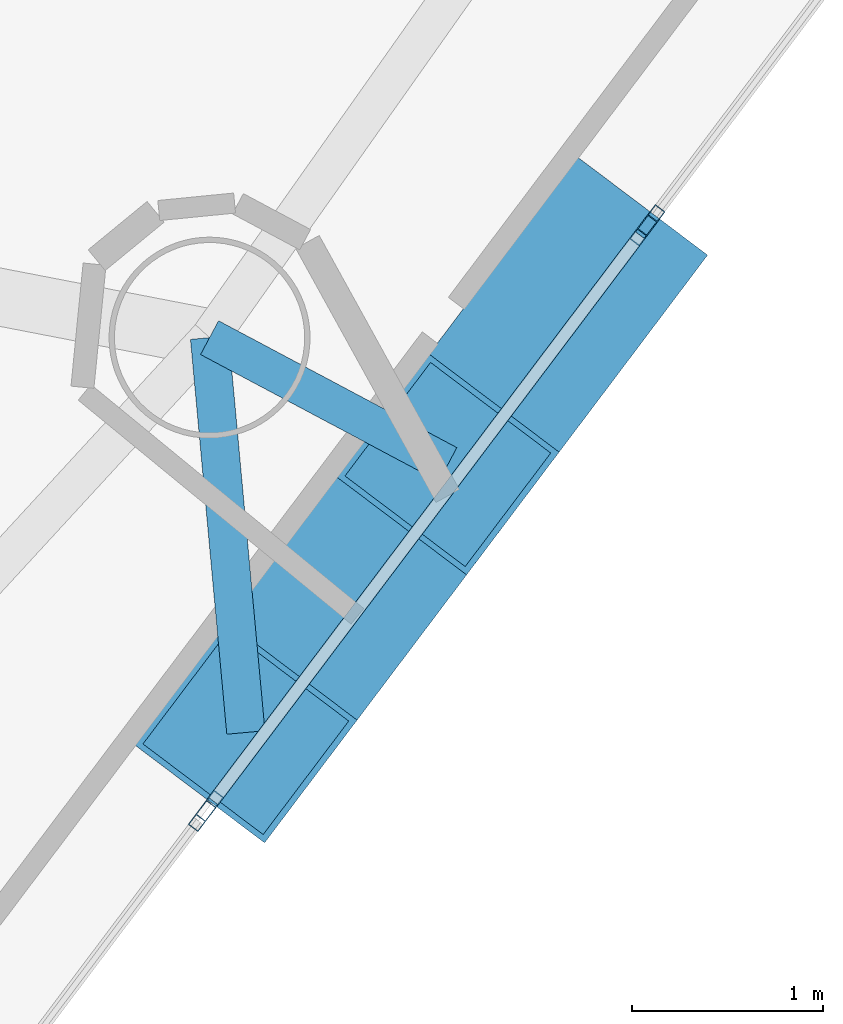
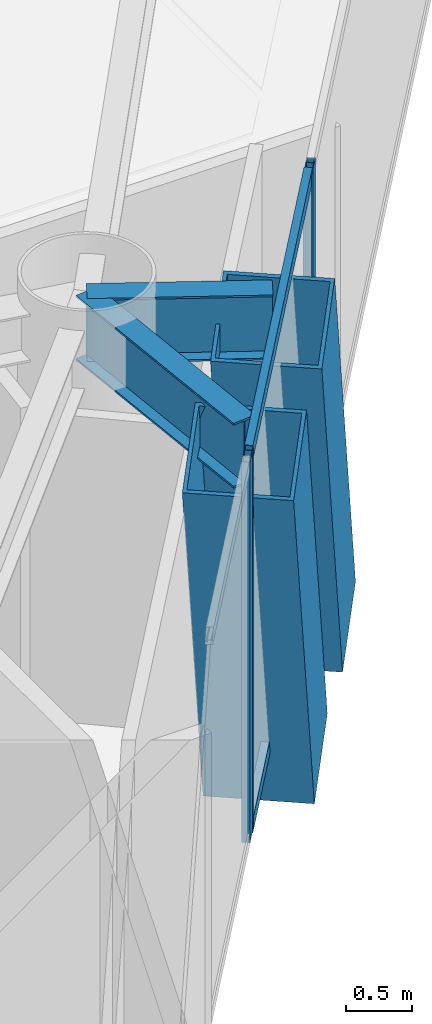
# One storey, part 6 of 19: 8 members, 2 beams, 3 elements without a shape of their own.
"""IFC4 building model written with IfcOpenShell, lengths in metres."""

from ifc_helpers import new_model, si_unit, direction, frame, origin, origin_2d, place, context, subcontext, project, spatial, hollow_rectangle, i_section, extrude, material, layer, layer_set, material_profile, profile_set, type_object, element, aggregate, save


model = new_model("IFC4")

# Units and contexts
model_context = context("Model", 3, precision=1e-05, world=origin(), true_north=direction((0.0, 1.0)))
body_context = subcontext(model_context, "Body", "Model", "MODEL_VIEW")
ifc_project = project(units=[si_unit("LENGTHUNIT", "METRE"), si_unit("AREAUNIT", "SQUARE_METRE"), si_unit("VOLUMEUNIT", "CUBIC_METRE"), si_unit("PLANEANGLEUNIT", "RADIAN"), si_unit("MASSUNIT", "GRAM", prefix="KILO")], contexts=[model_context])

# Site, building, storey
site_placement = place(None, origin())
site = spatial("IfcSite", under=ifc_project, at=site_placement, CompositionType="ELEMENT")
building_placement = place(site_placement, origin())
building = spatial("IfcBuilding", under=site, at=building_placement, Name="Qianvela Tower", CompositionType="ELEMENT")
storey_placement = place(building_placement, frame((0.0, 0.0, 268.60009765625)))
storey = spatial("IfcBuildingStorey", under=building, at=storey_placement, Name="L69", CompositionType="ELEMENT", Elevation=268.60009765625)

# Beams
ifc_material_1 = material(Name="Steel Q355B", Category="steel")
ifc_material_profile_1 = material_profile(ifc_material_1, i_section(OverallWidth=0.199951171875, OverallDepth=0.60009765625, WebThickness=0.010986328125, FlangeThickness=0.01708984375, at=origin_2d()), Name="HN600x200x11x17")
ifc_profile_set_1 = profile_set([ifc_material_profile_1], Name="Steel Q355B")
beam_type = type_object("IfcBeamType", Name="BM-HN600-GIRD", PredefinedType="BEAM", material=ifc_profile_set_1)
beam_1_placement = place(storey_placement, frame((45.43603515625, 20.597900390625, 3.218017578125), z_axis=(0.091609369072, -0.995795020824, 0.0), x_axis=(0.995795020824, 0.091609369072, 0.0)))
element("IfcBeam", 1, at=beam_1_placement, inside=storey, type_object=beam_type, Name="L69 Mega-Brace Column Tie Bracket F3-1", PredefinedType="BEAM", context=body_context, shape_type="SweptSolid", body=[
    extrude(i_section(OverallWidth=0.199951171875, OverallDepth=0.60009765625, WebThickness=0.010986328125, FlangeThickness=0.01708984375, at=origin_2d()), origin(), (0.0, 0.0, 1.0), 2.07080078125),
])
beam_2_placement = place(storey_placement, frame((45.43603515625, 20.597900390625, 3.218017578125), z_axis=(0.882707373897, -0.469923070372, 0.0), x_axis=(0.469923070372, 0.882707373897, 0.0)))
element("IfcBeam", 2, at=beam_2_placement, inside=storey, type_object=beam_type, Name="L69 Mega-Brace Column Tie Bracket F3-2", PredefinedType="BEAM", context=body_context, shape_type="SweptSolid", body=[
    extrude(i_section(OverallWidth=0.199951171875, OverallDepth=0.60009765625, WebThickness=0.010986328125, FlangeThickness=0.01708984375, at=origin_2d()), origin(), (0.0, 0.0, 1.0), 1.409912109375),
])

# Curtain wall, members
ifc_material_2 = material(Name="Anodised Architectural Aluminium and Insulated Spandrel Panel", Category="aluminium")
ifc_layer_1 = layer(ifc_material_2, 0.179931640625)
ifc_layer_set_1 = layer_set([ifc_layer_1], Name="Anodised Architectural Aluminium and Insulated Spandrel Panel")
curtain_wall_type_1 = type_object("IfcCurtainWallType", Name="CW-BRACEBAY", PredefinedType="USERDEFINED", material=ifc_layer_set_1)
curtain_wall_1_placement = place(storey_placement, origin())
curtain_wall_1 = element("IfcCurtainWall", 3, at=curtain_wall_1_placement, inside=storey, type_object=curtain_wall_type_1, Name="L69 CW-BRACEBAY Curtain Wall 06B", ObjectType="CURTAIN_WALL_SYSTEM", PredefinedType="USERDEFINED")
ifc_material_3 = material(Name="Anodised Architectural Aluminium 6063-T6", Category="aluminium")
ifc_material_profile_2 = material_profile(ifc_material_3, hollow_rectangle(XDim=0.06494140625, YDim=0.159912109375, WallThickness=0.0048828125, at=origin_2d()), Name="ALU-MULL-65x160")
ifc_profile_set_2 = profile_set([ifc_material_profile_2], Name="Anodised Architectural Aluminium 6063-T6")
member_type_1 = type_object("IfcMemberType", Name="CW-BRACEBAY-MULL", PredefinedType="MULLION", material=ifc_profile_set_2)
member_1_placement = place(storey_placement, frame((45.436767578125, 18.152099609375, 0.0), z_axis=(0.0, 0.0, 1.0), x_axis=(-0.798565864794, 0.6019074344, 0.0)))
member_1 = element("IfcMember", 4, at=member_1_placement, type_object=member_type_1, Name="CW-9 mullion 1", PredefinedType="MULLION", context=body_context, shape_type="SweptSolid", body=[
    extrude(hollow_rectangle(XDim=0.06494140625, YDim=0.159912109375, WallThickness=0.0048828125, at=origin_2d()), origin(), (0.0, 0.0, 1.0), 3.52001953125),
])
member_2_placement = place(storey_placement, frame((47.702880859375, 21.15869140625, 0.0), z_axis=(0.0, 0.0, 1.0), x_axis=(-0.798565864794, 0.6019074344, 0.0)))
member_2 = element("IfcMember", 5, at=member_2_placement, type_object=member_type_1, Name="CW-9 mullion 2", PredefinedType="MULLION", context=body_context, shape_type="SweptSolid", body=[
    extrude(hollow_rectangle(XDim=0.06494140625, YDim=0.159912109375, WallThickness=0.0048828125, at=origin_2d()), origin(), (0.0, 0.0, 1.0), 3.52001953125),
])
ifc_material_4 = material(Name="Anodised Architectural Aluminium 6063-T6", Category="aluminium")
ifc_material_profile_3 = material_profile(ifc_material_4, hollow_rectangle(XDim=0.06494140625, YDim=0.1298828125, WallThickness=0.00439453125, at=origin_2d()), Name="ALU-TRAN-65x130")
ifc_profile_set_3 = profile_set([ifc_material_profile_3], Name="Anodised Architectural Aluminium 6063-T6")
member_type_2 = type_object("IfcMemberType", Name="CW-BRACEBAY-TRAN", PredefinedType="USERDEFINED", material=ifc_profile_set_3)
member_3_placement = place(storey_placement, frame((45.456298828125, 18.177978515625, 0.032470703125), z_axis=(0.601888051319, 0.798580474141, 0.0), x_axis=(-0.798580474141, 0.601888051319, 0.0)))
member_3 = element("IfcMember", 6, at=member_3_placement, type_object=member_type_2, Name="CW-9 transom 1.1", ObjectType="TRANSOM", PredefinedType="USERDEFINED", context=body_context, shape_type="SweptSolid", body=[
    extrude(hollow_rectangle(XDim=0.06494140625, YDim=0.1298828125, WallThickness=0.00439453125, at=origin_2d()), origin(), (0.0, 0.0, 1.0), 3.7001953125),
])
member_4_placement = place(storey_placement, frame((45.456298828125, 18.177978515625, 3.4873046875), z_axis=(0.601888051319, 0.798580474141, 0.0), x_axis=(-0.798580474141, 0.601888051319, 0.0)))
member_4 = element("IfcMember", 7, at=member_4_placement, type_object=member_type_2, Name="CW-9 transom 1.2", ObjectType="TRANSOM", PredefinedType="USERDEFINED", context=body_context, shape_type="SweptSolid", body=[
    extrude(hollow_rectangle(XDim=0.06494140625, YDim=0.1298828125, WallThickness=0.00439453125, at=origin_2d()), origin(), (0.0, 0.0, 1.0), 3.7001953125),
])
aggregate(curtain_wall_1, [member_1, member_2, member_3, member_4])

# Curtain wall, member
ifc_material_5 = material(Name="Anodised Architectural Aluminium and Low-E Glass", Category="aluminium")
ifc_layer_2 = layer(ifc_material_5, 0.159912109375)
ifc_layer_set_2 = layer_set([ifc_layer_2], Name="Anodised Architectural Aluminium and Low-E Glass")
curtain_wall_type_2 = type_object("IfcCurtainWallType", Name="CW-COLIV-Z56", PredefinedType="USERDEFINED", material=ifc_layer_set_2)
curtain_wall_2_placement = place(storey_placement, origin())
curtain_wall_2 = element("IfcCurtainWall", 8, at=curtain_wall_2_placement, inside=storey, type_object=curtain_wall_type_2, Name="L69 CW-COLIV-Z56 Curtain Wall 06A", ObjectType="CURTAIN_WALL_SYSTEM", PredefinedType="USERDEFINED")
ifc_material_6 = material(Name="Anodised Architectural Aluminium 6063-T6", Category="aluminium")
ifc_material_profile_4 = material_profile(ifc_material_6, hollow_rectangle(XDim=0.06494140625, YDim=0.159912109375, WallThickness=0.0048828125, at=origin_2d()), Name="ALU-MULL-65x160")
ifc_profile_set_4 = profile_set([ifc_material_profile_4], Name="Anodised Architectural Aluminium 6063-T6")
member_type_3 = type_object("IfcMemberType", Name="CW-COLIV-Z56-MULL", PredefinedType="MULLION", material=ifc_profile_set_4)
member_5_placement = place(storey_placement, frame((45.397705078125, 18.10009765625, 0.0), z_axis=(0.0, 0.0, 1.0), x_axis=(-0.798561999533, 0.601912562506, 0.0)))
member_5 = element("IfcMember", 9, at=member_5_placement, type_object=member_type_3, Name="CW-5 mullion 3", PredefinedType="MULLION", context=body_context, shape_type="SweptSolid", body=[
    extrude(hollow_rectangle(XDim=0.06494140625, YDim=0.159912109375, WallThickness=0.0048828125, at=origin_2d()), origin(), (0.0, 0.0, 1.0), 3.52001953125),
])
aggregate(curtain_wall_2, [member_5])

curtain_wall_3_placement = place(storey_placement, origin())
curtain_wall_3 = element("IfcCurtainWall", 10, at=curtain_wall_3_placement, inside=storey, type_object=curtain_wall_type_2, Name="L69 CW-COLIV-Z56 Curtain Wall 06C", ObjectType="CURTAIN_WALL_SYSTEM", PredefinedType="USERDEFINED")
member_6_placement = place(storey_placement, frame((47.741943359375, 21.21044921875, 0.0), z_axis=(0.0, 0.0, 1.0), x_axis=(-0.798563153146, 0.601911031996, 0.0)))
member_6 = element("IfcMember", 11, at=member_6_placement, type_object=member_type_3, Name="CW-5 mullion 1", PredefinedType="MULLION", context=body_context, shape_type="SweptSolid", body=[
    extrude(hollow_rectangle(XDim=0.06494140625, YDim=0.159912109375, WallThickness=0.0048828125, at=origin_2d()), origin(), (0.0, 0.0, 1.0), 3.52001953125),
])
aggregate(curtain_wall_3, [member_6])

# Members
ifc_material_7 = material(Name="Steel Q420GJC", Category="steel")
ifc_material_profile_5 = material_profile(ifc_material_7, hollow_rectangle(XDim=0.85009765625, YDim=0.85009765625, WallThickness=0.031982421875, at=origin_2d()), Name="MBOX-850x850x32")
ifc_profile_set_5 = profile_set([ifc_material_profile_5], Name="Steel Q420GJC")
member_type_4 = type_object("IfcMemberType", Name="MBR-MBRACE-850", PredefinedType="BRACE", material=ifc_profile_set_5)
member_7_placement = place(storey_placement, frame((46.4013671875, 19.564697265625, -0.482177734375), z_axis=(-0.197962000291, -0.262578492044, 0.944385293171), x_axis=(0.798496763242, -0.601999102235, 0.0)))
element("IfcMember", 12, at=member_7_placement, inside=storey, type_object=member_type_4, Name="L69 Tier 11 Exterior Mega-Brace F3A", PredefinedType="BRACE", context=body_context, shape_type="SweptSolid", body=[
    extrude(hollow_rectangle(XDim=0.85009765625, YDim=0.85009765625, WallThickness=0.031982421875, at=origin_2d()), origin(), (0.0, 0.0, 1.0), 3.918212890625),
])
member_8_placement = place(storey_placement, frame((47.4560546875, 20.964111328125, -0.482177734375), z_axis=(-0.1979021301, -0.262581730554, 0.944396940741), x_axis=(0.798587849652, -0.601878265423, 0.0)))
element("IfcMember", 13, at=member_8_placement, inside=storey, type_object=member_type_4, Name="L69 Tier 11 Exterior Mega-Brace F3B", PredefinedType="BRACE", context=body_context, shape_type="SweptSolid", body=[
    extrude(hollow_rectangle(XDim=0.85009765625, YDim=0.85009765625, WallThickness=0.031982421875, at=origin_2d()), origin(), (0.0, 0.0, 1.0), 3.91796875),
])

save(model, "model.ifc")
